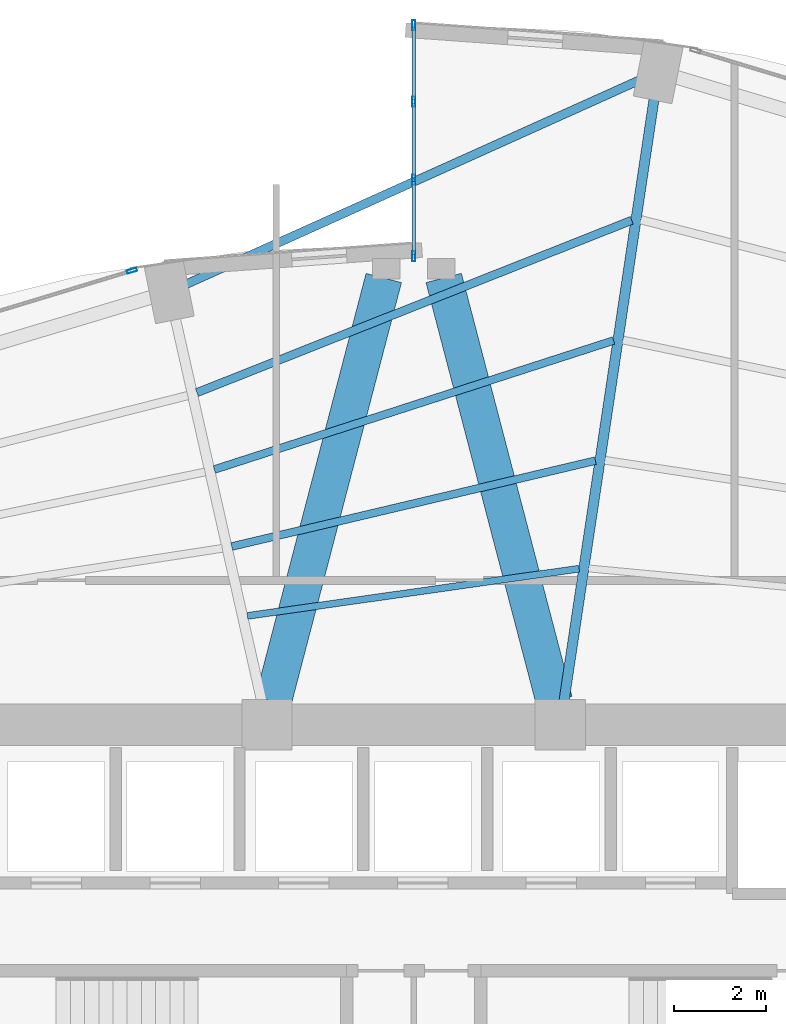
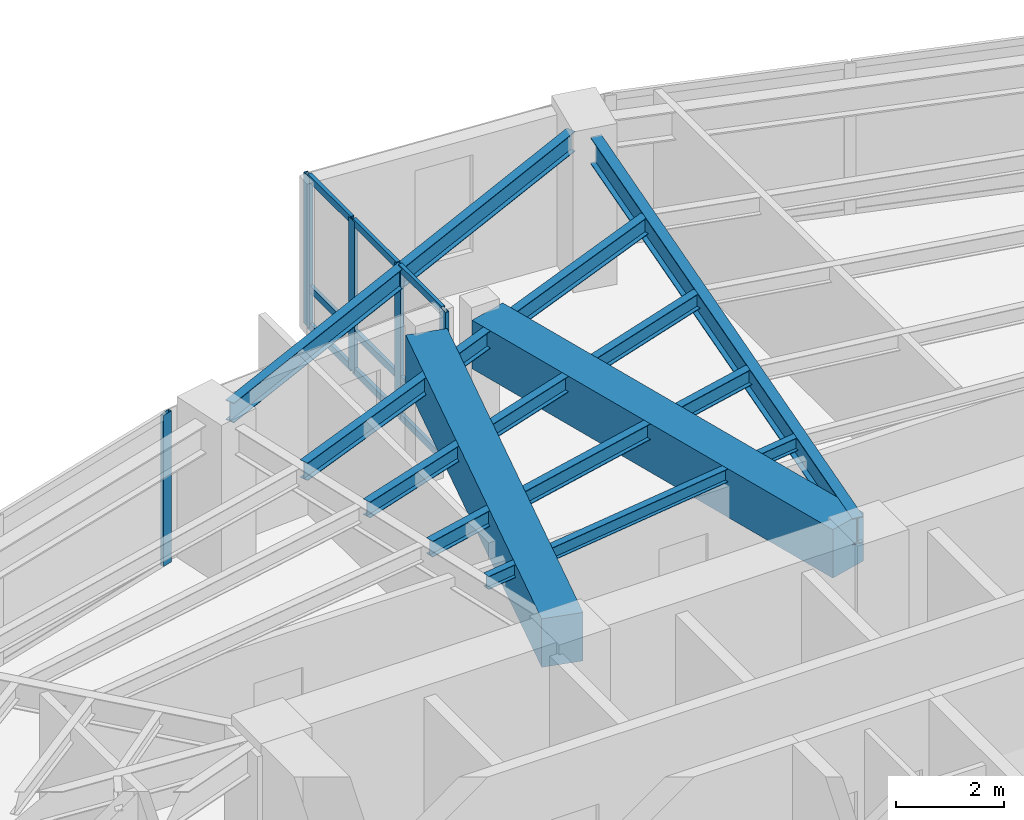
# One storey, part 16 of 25: 14 members, 8 beams, 2 elements without a shape of their own.
"""IFC4 building model written with IfcOpenShell, lengths in metres."""

from ifc_helpers import new_model, si_unit, direction, frame, origin, origin_2d, place, context, subcontext, project, spatial, rectangle, hollow_rectangle, i_section, extrude, material, layer, layer_set, material_profile, profile_set, type_object, element, aggregate, save


model = new_model("IFC4")

# Units and contexts
model_context = context("Model", 3, precision=1e-05, world=origin(), true_north=direction((0.0, 1.0)))
body_context = subcontext(model_context, "Body", "Model", "MODEL_VIEW")
ifc_project = project(units=[si_unit("LENGTHUNIT", "METRE"), si_unit("AREAUNIT", "SQUARE_METRE"), si_unit("VOLUMEUNIT", "CUBIC_METRE"), si_unit("PLANEANGLEUNIT", "RADIAN"), si_unit("MASSUNIT", "GRAM", prefix="KILO")], contexts=[model_context])

# Site, building, storey
site_placement = place(None, origin())
site = spatial("IfcSite", under=ifc_project, at=site_placement, CompositionType="ELEMENT")
building_placement = place(site_placement, origin())
building = spatial("IfcBuilding", under=site, at=building_placement, Name="Lazwardi Medical Tower", CompositionType="ELEMENT")
storey_placement = place(building_placement, frame((0.0, 0.0, 43.43994140625)))
storey = spatial("IfcBuildingStorey", under=building, at=storey_placement, Name="L10", CompositionType="ELEMENT", Elevation=43.43994140625)

# Beams
ifc_material_1 = material(Name="Concrete C70/85", Category="concrete")
ifc_material_profile_1 = material_profile(ifc_material_1, rectangle(XDim=0.800048828125, YDim=1.10009765625, at=origin_2d()), Name="RC 800x1100")
ifc_profile_set_1 = profile_set([ifc_material_profile_1], Name="Concrete C70/85")
beam_type_1 = type_object("IfcBeamType", Name="BM-CB-RC1", PredefinedType="LINTEL", material=ifc_profile_set_1)
for number, where, z_axis, x_axis, name in (
    (1, (32.935302734375, 36.11767578125, 2.878173828125), (0.252819877511, 0.967513364009, 0.0), (-0.967513364009, 0.252819877511, 0.0), "Core coupling lintel CB-01 PL1 L10"),
    (2, (39.064697265625, 36.11767578125, 2.878173828125), (-0.252819877511, 0.967513364009, 0.0), (-0.967513364009, -0.252819877511, 0.0), "Core coupling lintel CB-01 PL2 L10"),
):
    element("IfcBeam", number, at=place(storey_placement, frame(where, z_axis=z_axis, x_axis=x_axis)), inside=storey, type_object=beam_type_1, Name=name, PredefinedType="LINTEL", context=body_context, shape_type="SweptSolid", body=[
        extrude(rectangle(XDim=0.800048828125, YDim=1.10009765625, at=origin_2d()), origin(), (0.0, 0.0, 1.0), 9.538818359375),
    ])
ifc_material_2 = material(Name="Steel S355", Category="steel")
ifc_material_profile_2 = material_profile(ifc_material_2, i_section(OverallWidth=0.219970703125, OverallDepth=0.60009765625, WebThickness=0.011962890625, FlangeThickness=0.01904296875, at=origin_2d()), Name="IPE 600")
ifc_profile_set_2 = profile_set([ifc_material_profile_2], Name="Steel S355")
beam_type_2 = type_object("IfcBeamType", Name="BM-RG-W1", PredefinedType="BEAM", material=ifc_profile_set_2)
beam_1_placement = place(storey_placement, frame((41.2451171875, 49.2705078125, 3.128173828125), z_axis=(-0.147944218183, -0.98899570692, 0.0), x_axis=(0.98899570692, -0.147944218183, 0.0)))
element("IfcBeam", 3, at=beam_1_placement, inside=storey, type_object=beam_type_2, Name="Radial girder RG-02 R08 L10", PredefinedType="BEAM", context=body_context, shape_type="SweptSolid", body=[
    extrude(i_section(OverallWidth=0.219970703125, OverallDepth=0.60009765625, WebThickness=0.011962890625, FlangeThickness=0.01904296875, at=origin_2d()), origin(), (0.0, 0.0, 1.0), 13.28759765625),
])
ifc_material_profile_3 = material_profile(ifc_material_2, i_section(OverallWidth=0.179931640625, OverallDepth=0.39990234375, WebThickness=0.008544921875, FlangeThickness=0.013427734375, at=origin_2d()), Name="IPE 400")
ifc_profile_set_3 = profile_set([ifc_material_profile_3], Name="Steel S355")
beam_type_3 = type_object("IfcBeamType", Name="BM-SJ-01", PredefinedType="JOIST", material=ifc_profile_set_3)
beam_2_placement = place(storey_placement, frame((40.754150390625, 46.603515625, 3.22802734375), z_axis=(-0.929663713752, -0.368409255222, 0.0), x_axis=(0.368409255222, -0.929663713752, 0.0)))
element("IfcBeam", 4, at=beam_2_placement, inside=storey, type_object=beam_type_3, Name="Secondary joist SJ-01 R1 B08 L10", PredefinedType="JOIST", context=body_context, shape_type="SweptSolid", body=[
    extrude(i_section(OverallWidth=0.179931640625, OverallDepth=0.39990234375, WebThickness=0.008544921875, FlangeThickness=0.013427734375, at=origin_2d()), origin(), (0.0, 0.0, 1.0), 10.2001953125),
])
ifc_material_profile_4 = material_profile(ifc_material_2, i_section(OverallWidth=0.169921875, OverallDepth=0.360107421875, WebThickness=0.008056640625, FlangeThickness=0.0126953125, at=origin_2d()), Name="IPE 360")
ifc_profile_set_4 = profile_set([ifc_material_profile_4], Name="Steel S355")
beam_type_4 = type_object("IfcBeamType", Name="BM-SJ-02", PredefinedType="JOIST", material=ifc_profile_set_4)
beam_3_placement = place(storey_placement, frame((40.35888671875, 43.981689453125, 3.248046875), z_axis=(-0.951558895485, -0.307466532199, 0.0), x_axis=(0.307466532199, -0.951558895485, 0.0)))
element("IfcBeam", 5, at=beam_3_placement, inside=storey, type_object=beam_type_4, Name="Secondary joist SJ-02 R2 B08 L10", PredefinedType="JOIST", context=body_context, shape_type="SweptSolid", body=[
    extrude(i_section(OverallWidth=0.169921875, OverallDepth=0.360107421875, WebThickness=0.008056640625, FlangeThickness=0.0126953125, at=origin_2d()), origin(), (0.0, 0.0, 1.0), 9.1513671875),
])
beam_4_placement = place(storey_placement, frame((39.96337890625, 41.361572265625, 3.248046875), z_axis=(-0.973240904247, -0.229787167397, 0.0), x_axis=(0.229787167397, -0.973240904247, 0.0)))
element("IfcBeam", 6, at=beam_4_placement, inside=storey, type_object=beam_type_4, Name="Secondary joist SJ-02 R3 B08 L10", PredefinedType="JOIST", context=body_context, shape_type="SweptSolid", body=[
    extrude(i_section(OverallWidth=0.169921875, OverallDepth=0.360107421875, WebThickness=0.008056640625, FlangeThickness=0.0126953125, at=origin_2d()), origin(), (0.0, 0.0, 1.0), 8.151123046875),
])
ifc_material_profile_5 = material_profile(ifc_material_2, i_section(OverallWidth=0.14990234375, OverallDepth=0.300048828125, WebThickness=0.007080078125, FlangeThickness=0.0107421875, at=origin_2d()), Name="IPE 300")
ifc_profile_set_5 = profile_set([ifc_material_profile_5], Name="Steel S355")
beam_type_5 = type_object("IfcBeamType", Name="BM-SJ-03", PredefinedType="JOIST", material=ifc_profile_set_5)
beam_5_placement = place(storey_placement, frame((39.607666015625, 39.00537109375, 3.278076171875), z_axis=(-0.99001552228, -0.140958382672, 0.0), x_axis=(0.140958382672, -0.99001552228, 0.0)))
element("IfcBeam", 7, at=beam_5_placement, inside=storey, type_object=beam_type_5, Name="Secondary joist SJ-03 R4 B08 L10", PredefinedType="JOIST", context=body_context, shape_type="SweptSolid", body=[
    extrude(i_section(OverallWidth=0.14990234375, OverallDepth=0.300048828125, WebThickness=0.007080078125, FlangeThickness=0.0107421875, at=origin_2d()), origin(), (0.0, 0.0, 1.0), 7.30908203125),
])
ifc_material_profile_6 = material_profile(ifc_material_2, i_section(OverallWidth=0.18994140625, OverallDepth=0.449951171875, WebThickness=0.009521484375, FlangeThickness=0.0146484375, at=origin_2d()), Name="IPE 450")
ifc_profile_set_6 = profile_set([ifc_material_profile_6], Name="Steel S355")
beam_type_6 = type_object("IfcBeamType", Name="BM-SP-01", PredefinedType="SPANDREL", material=ifc_profile_set_6)
beam_6_placement = place(storey_placement, frame((40.94775390625, 49.671630859375, 3.203125), z_axis=(-0.91184908894, -0.410525564368, 0.0), x_axis=(0.410525564368, -0.91184908894, 0.0)))
element("IfcBeam", 8, at=beam_6_placement, inside=storey, type_object=beam_type_6, Name="Spandrel beam SP-01 B08 L10", PredefinedType="SPANDREL", context=body_context, shape_type="SweptSolid", body=[
    extrude(i_section(OverallWidth=0.18994140625, OverallDepth=0.449951171875, WebThickness=0.009521484375, FlangeThickness=0.0146484375, at=origin_2d()), origin(), (0.0, 0.0, 1.0), 10.85205078125),
])

# Curtain wall, member
ifc_material_3 = material(Name="Anodised bronze aluminium and solar control glazing", Category="aluminium")
ifc_layer_1 = layer(ifc_material_3, 0.199951171875)
ifc_layer_set_1 = layer_set([ifc_layer_1], Name="Anodised bronze aluminium and solar control glazing")
curtain_wall_type_1 = type_object("IfcCurtainWallType", Name="CW-SYS-02", PredefinedType="NOTDEFINED", material=ifc_layer_set_1)
curtain_wall_1_placement = place(storey_placement, origin())
curtain_wall_1 = element("IfcCurtainWall", 9, at=curtain_wall_1_placement, inside=storey, type_object=curtain_wall_type_1, Name="L10 Unitised bronze curtain wall CW-02", PredefinedType="NOTDEFINED")
ifc_material_4 = material(Name="Anodised bronze aluminium", Category="aluminium")
ifc_material_profile_7 = material_profile(ifc_material_4, hollow_rectangle(XDim=0.074951171875, YDim=0.219970703125, WallThickness=0.00390625, at=origin_2d()), Name="ALU-MULLION 220x75x4")
ifc_profile_set_7 = profile_set([ifc_material_profile_7], Name="Anodised bronze aluminium")
member_type_1 = type_object("IfcMemberType", Name="CW-MUL-01", PredefinedType="MULLION", material=ifc_profile_set_7)
member_1_placement = place(storey_placement, frame((29.85205078125, 45.503662109375, 0.0), z_axis=(0.0, 0.0, 1.0), x_axis=(0.2898956909, -0.957058247129, 0.0)))
member_1 = element("IfcMember", 10, at=member_1_placement, type_object=member_type_1, Name="CW-02 mullion 1", PredefinedType="MULLION", context=body_context, shape_type="SweptSolid", body=[
    extrude(hollow_rectangle(XDim=0.074951171875, YDim=0.219970703125, WallThickness=0.00390625, at=origin_2d()), origin(), (0.0, 0.0, 1.0), 3.427978515625),
])
aggregate(curtain_wall_1, [member_1])

# Curtain wall, members
ifc_layer_2 = layer(ifc_material_3, 0.2099609375)
ifc_layer_set_2 = layer_set([ifc_layer_2], Name="Anodised bronze aluminium and solar control glazing")
curtain_wall_type_2 = type_object("IfcCurtainWallType", Name="CW-SYS-06", PredefinedType="NOTDEFINED", material=ifc_layer_set_2)
curtain_wall_2_placement = place(storey_placement, origin())
curtain_wall_2 = element("IfcCurtainWall", 11, at=curtain_wall_2_placement, inside=storey, type_object=curtain_wall_type_2, Name="L10 Unitised bronze curtain wall CW-06", PredefinedType="NOTDEFINED")
member_2_placement = place(storey_placement, frame((36.0, 50.862548828125, 0.0), z_axis=(0.0, 0.0, 1.0), x_axis=(1.0, 0.0, 0.0)))
member_2 = element("IfcMember", 12, at=member_2_placement, type_object=member_type_1, Name="CW-06 mullion 1", PredefinedType="MULLION", context=body_context, shape_type="SweptSolid", body=[
    extrude(hollow_rectangle(XDim=0.074951171875, YDim=0.219970703125, WallThickness=0.00390625, at=origin_2d()), origin(), (0.0, 0.0, 1.0), 3.427978515625),
])
member_3_placement = place(storey_placement, frame((36.0, 49.193359375, 0.0), z_axis=(0.0, 0.0, 1.0), x_axis=(1.0, 0.0, 0.0)))
member_3 = element("IfcMember", 13, at=member_3_placement, type_object=member_type_1, Name="CW-06 mullion 2", PredefinedType="MULLION", context=body_context, shape_type="SweptSolid", body=[
    extrude(hollow_rectangle(XDim=0.074951171875, YDim=0.219970703125, WallThickness=0.00390625, at=origin_2d()), origin(), (0.0, 0.0, 1.0), 3.427978515625),
])
member_4_placement = place(storey_placement, frame((36.0, 47.486572265625, 0.0), z_axis=(0.0, 0.0, 1.0), x_axis=(1.0, 0.0, 0.0)))
member_4 = element("IfcMember", 14, at=member_4_placement, type_object=member_type_1, Name="CW-06 mullion 3", PredefinedType="MULLION", context=body_context, shape_type="SweptSolid", body=[
    extrude(hollow_rectangle(XDim=0.074951171875, YDim=0.219970703125, WallThickness=0.00390625, at=origin_2d()), origin(), (0.0, 0.0, 1.0), 3.427978515625),
])
member_5_placement = place(storey_placement, frame((36.0, 45.8173828125, 0.0), z_axis=(0.0, 0.0, 1.0), x_axis=(1.0, 0.0, 0.0)))
member_5 = element("IfcMember", 15, at=member_5_placement, type_object=member_type_1, Name="CW-06 mullion 4", PredefinedType="MULLION", context=body_context, shape_type="SweptSolid", body=[
    extrude(hollow_rectangle(XDim=0.074951171875, YDim=0.219970703125, WallThickness=0.00390625, at=origin_2d()), origin(), (0.0, 0.0, 1.0), 3.427978515625),
])
ifc_material_profile_8 = material_profile(ifc_material_4, hollow_rectangle(XDim=0.074951171875, YDim=0.159912109375, WallThickness=0.00390625, at=origin_2d()), Name="ALU-TRANSOM 160x75x4")
ifc_profile_set_8 = profile_set([ifc_material_profile_8], Name="Anodised bronze aluminium")
member_type_2 = type_object("IfcMemberType", Name="CW-TRN-01", PredefinedType="USERDEFINED", material=ifc_profile_set_8)
member_6_placement = place(storey_placement, frame((36.0, 50.824951171875, 0.03759765625), z_axis=(0.0, -1.0, 0.0), x_axis=(1.0, 0.0, 0.0)))
member_6 = element("IfcMember", 16, at=member_6_placement, type_object=member_type_2, Name="CW-06 transom 1.1", ObjectType="TRANSOM", PredefinedType="USERDEFINED", context=body_context, shape_type="SweptSolid", body=[
    extrude(hollow_rectangle(XDim=0.074951171875, YDim=0.159912109375, WallThickness=0.00390625, at=origin_2d()), origin(), (0.0, 0.0, 1.0), 1.59423828125),
])
member_7_placement = place(storey_placement, frame((36.0, 50.824951171875, 0.900146484375), z_axis=(0.0, -1.0, 0.0), x_axis=(1.0, 0.0, 0.0)))
member_7 = element("IfcMember", 17, at=member_7_placement, type_object=member_type_2, Name="CW-06 transom 1.2", ObjectType="TRANSOM", PredefinedType="USERDEFINED", context=body_context, shape_type="SweptSolid", body=[
    extrude(hollow_rectangle(XDim=0.074951171875, YDim=0.159912109375, WallThickness=0.00390625, at=origin_2d()), origin(), (0.0, 0.0, 1.0), 1.59423828125),
])
member_8_placement = place(storey_placement, frame((36.0, 50.824951171875, 3.390625), z_axis=(0.0, -1.0, 0.0), x_axis=(1.0, 0.0, 0.0)))
member_8 = element("IfcMember", 18, at=member_8_placement, type_object=member_type_2, Name="CW-06 transom 1.3", ObjectType="TRANSOM", PredefinedType="USERDEFINED", context=body_context, shape_type="SweptSolid", body=[
    extrude(hollow_rectangle(XDim=0.074951171875, YDim=0.159912109375, WallThickness=0.00390625, at=origin_2d()), origin(), (0.0, 0.0, 1.0), 1.59423828125),
])
member_9_placement = place(storey_placement, frame((36.0, 49.15576171875, 0.03759765625), z_axis=(0.0, -1.0, 0.0), x_axis=(1.0, 0.0, 0.0)))
member_9 = element("IfcMember", 19, at=member_9_placement, type_object=member_type_2, Name="CW-06 transom 2.1", ObjectType="TRANSOM", PredefinedType="USERDEFINED", context=body_context, shape_type="SweptSolid", body=[
    extrude(hollow_rectangle(XDim=0.074951171875, YDim=0.159912109375, WallThickness=0.00390625, at=origin_2d()), origin(), (0.0, 0.0, 1.0), 1.631591796875),
])
member_10_placement = place(storey_placement, frame((36.0, 49.15576171875, 0.900146484375), z_axis=(0.0, -1.0, 0.0), x_axis=(1.0, 0.0, 0.0)))
member_10 = element("IfcMember", 20, at=member_10_placement, type_object=member_type_2, Name="CW-06 transom 2.2", ObjectType="TRANSOM", PredefinedType="USERDEFINED", context=body_context, shape_type="SweptSolid", body=[
    extrude(hollow_rectangle(XDim=0.074951171875, YDim=0.159912109375, WallThickness=0.00390625, at=origin_2d()), origin(), (0.0, 0.0, 1.0), 1.631591796875),
])
member_11_placement = place(storey_placement, frame((36.0, 49.15576171875, 3.390625), z_axis=(0.0, -1.0, 0.0), x_axis=(1.0, 0.0, 0.0)))
member_11 = element("IfcMember", 21, at=member_11_placement, type_object=member_type_2, Name="CW-06 transom 2.3", ObjectType="TRANSOM", PredefinedType="USERDEFINED", context=body_context, shape_type="SweptSolid", body=[
    extrude(hollow_rectangle(XDim=0.074951171875, YDim=0.159912109375, WallThickness=0.00390625, at=origin_2d()), origin(), (0.0, 0.0, 1.0), 1.631591796875),
])
member_12_placement = place(storey_placement, frame((36.0, 47.44921875, 0.03759765625), z_axis=(0.0, -1.0, 0.0), x_axis=(1.0, 0.0, 0.0)))
member_12 = element("IfcMember", 22, at=member_12_placement, type_object=member_type_2, Name="CW-06 transom 3.1", ObjectType="TRANSOM", PredefinedType="USERDEFINED", context=body_context, shape_type="SweptSolid", body=[
    extrude(hollow_rectangle(XDim=0.074951171875, YDim=0.159912109375, WallThickness=0.00390625, at=origin_2d()), origin(), (0.0, 0.0, 1.0), 1.59423828125),
])
member_13_placement = place(storey_placement, frame((36.0, 47.44921875, 0.900146484375), z_axis=(0.0, -1.0, 0.0), x_axis=(1.0, 0.0, 0.0)))
member_13 = element("IfcMember", 23, at=member_13_placement, type_object=member_type_2, Name="CW-06 transom 3.2", ObjectType="TRANSOM", PredefinedType="USERDEFINED", context=body_context, shape_type="SweptSolid", body=[
    extrude(hollow_rectangle(XDim=0.074951171875, YDim=0.159912109375, WallThickness=0.00390625, at=origin_2d()), origin(), (0.0, 0.0, 1.0), 1.59423828125),
])
member_14_placement = place(storey_placement, frame((36.0, 47.44921875, 3.390625), z_axis=(0.0, -1.0, 0.0), x_axis=(1.0, 0.0, 0.0)))
member_14 = element("IfcMember", 24, at=member_14_placement, type_object=member_type_2, Name="CW-06 transom 3.3", ObjectType="TRANSOM", PredefinedType="USERDEFINED", context=body_context, shape_type="SweptSolid", body=[
    extrude(hollow_rectangle(XDim=0.074951171875, YDim=0.159912109375, WallThickness=0.00390625, at=origin_2d()), origin(), (0.0, 0.0, 1.0), 1.59423828125),
])
aggregate(curtain_wall_2, [member_2, member_3, member_4, member_5, member_6, member_7, member_8, member_9, member_10, member_11, member_12, member_13, member_14])

save(model, "model.ifc")
